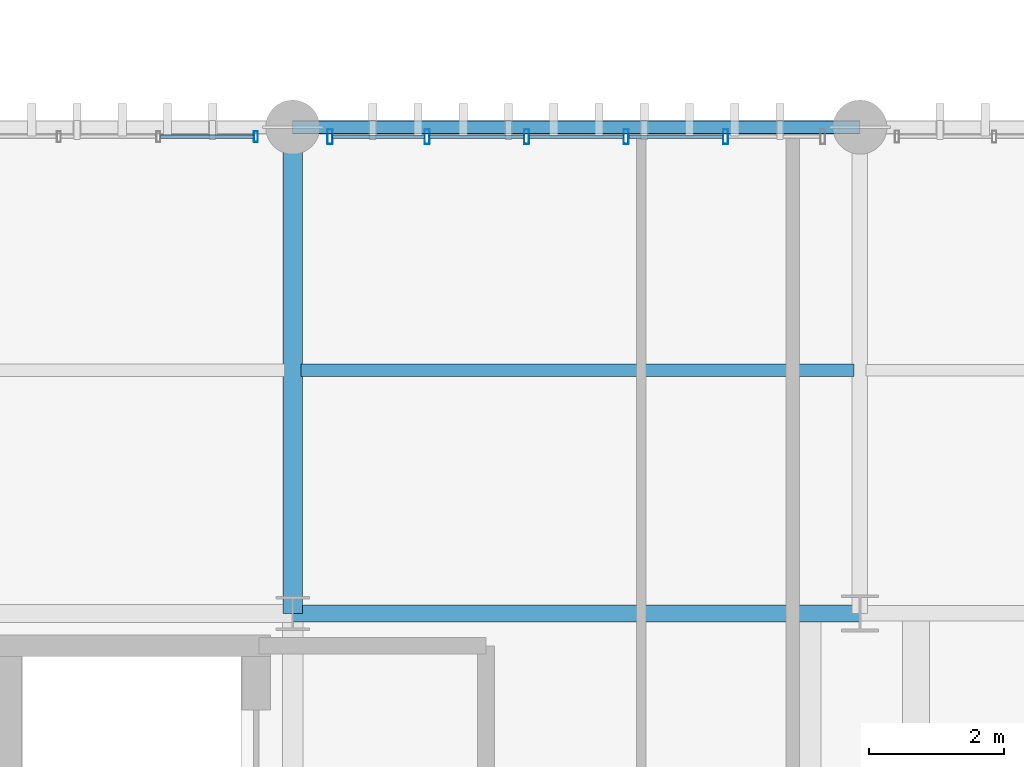
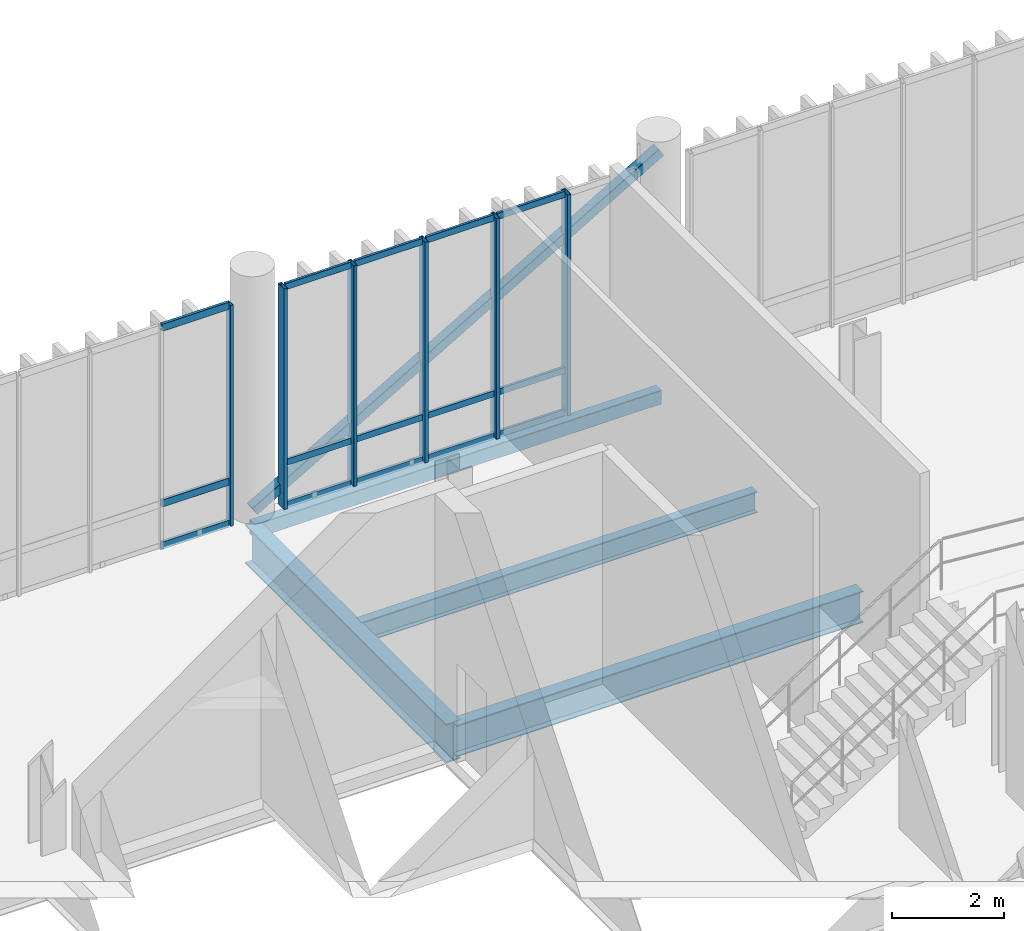
# One storey, part 45 of 128: 22 members, 4 beams, 2 elements without a shape of their own.
"""IFC4 building model written with IfcOpenShell, lengths in metres."""

import ifcopenshell
import ifcopenshell.guid

model = None  # the IFC model being written
_history = None  # IfcOwnerHistory: only IFC2X3 demands one
_inside = {}  # id of a spatial element -> (the spatial element, [elements in it])
_under = {}  # id of a project, library or spatial element -> (it, [spatial elements below it])
_declared = {}  # id of a project -> (the project, [libraries it declares])
_typed = {}  # id of a type object -> (the type object, [elements of that type])
_made_of = {}  # id of a material, layer set ... -> (it, [elements and type objects made of it])


def new_model(schema):
    """Start an empty IFC model of exactly this schema.

    Asked for "IFC4X3", IfcOpenShell would pick the latest addendum, in which some entities
    have other attributes; the version numbers below select the first issue.
    IFC2X3 requires an IfcOwnerHistory on every rooted entity: one is made here for all.
    """
    global model, _history
    if schema == "IFC4X3":
        model = ifcopenshell.file(schema_version=(4, 3, 0, 0))
    else:
        model = ifcopenshell.file(schema=schema)
    _inside.clear()
    _under.clear()
    _declared.clear()
    _typed.clear()
    _made_of.clear()
    _history = None
    if model.schema == "IFC2X3":
        org = make("IfcOrganization", Name="unknown")
        user = make(
            "IfcPersonAndOrganization",
            ThePerson=make("IfcPerson", FamilyName="unknown"),
            TheOrganization=org,
        )
        app = make(
            "IfcApplication",
            ApplicationDeveloper=org,
            Version="unknown",
            ApplicationFullName="unknown",
            ApplicationIdentifier="unknown",
        )
        _history = make(
            "IfcOwnerHistory",
            OwningUser=user,
            OwningApplication=app,
            ChangeAction="ADDED",
            CreationDate=0,
        )
    return model


def make(cls, **values):
    """One entity of the class cls with the attributes given. An attribute that is None is left unset."""
    return model.create_entity(
        cls, **{name: value for name, value in values.items() if value is not None}
    )


def rooted(cls, **values):
    """An entity with a GlobalId (a new one), such as an element, a storey or a relation."""
    return make(cls, GlobalId=ifcopenshell.guid.new(), OwnerHistory=_history, **values)


def si_unit(unit_type, name, prefix=None):
    """IfcSIUnit, for example si_unit("LENGTHUNIT", "METRE", prefix="MILLI")."""
    return make("IfcSIUnit", UnitType=unit_type, Prefix=prefix, Name=name)


def assignment(units):
    """IfcUnitAssignment: the units of a project."""
    return None if units is None else make("IfcUnitAssignment", Units=units)


def point(xyz):
    """IfcCartesianPoint."""
    return None if xyz is None else make("IfcCartesianPoint", Coordinates=xyz)


def direction(xyz):
    """IfcDirection."""
    return None if xyz is None else make("IfcDirection", DirectionRatios=xyz)


def frame(location, z_axis=None, x_axis=None):
    """IfcAxis2Placement3D, a coordinate frame: its origin and axes. An axis left out is left unset."""
    return make(
        "IfcAxis2Placement3D",
        Location=point(location),
        Axis=direction(z_axis),
        RefDirection=direction(x_axis),
    )


def frame_2d(location, x_axis=None):
    """IfcAxis2Placement2D, a coordinate frame in the plane: its origin and x axis."""
    return make(
        "IfcAxis2Placement2D", Location=point(location), RefDirection=direction(x_axis)
    )


def origin_with_axes():
    """The frame at (0, 0, 0) with the z axis (0, 0, 1) and the x axis (1, 0, 0) written out."""
    return frame((0.0, 0.0, 0.0), z_axis=(0.0, 0.0, 1.0), x_axis=(1.0, 0.0, 0.0))


def origin_2d_with_axis():
    """The frame at (0, 0) in the plane with the x axis (1, 0) written out."""
    return frame_2d((0.0, 0.0), x_axis=(1.0, 0.0))


def place(relative_to, where):
    """IfcLocalPlacement: puts the frame where relative to a parent placement (None: the world)."""
    return make(
        "IfcLocalPlacement", PlacementRelTo=relative_to, RelativePlacement=where
    )


def context(
    kind, dimensions, precision=None, world=None, true_north=None, identifier=None
):
    """IfcGeometricRepresentationContext, for example the 3D "Model" context."""
    return make(
        "IfcGeometricRepresentationContext",
        ContextIdentifier=identifier,
        ContextType=kind,
        CoordinateSpaceDimension=dimensions,
        Precision=precision,
        WorldCoordinateSystem=world,
        TrueNorth=true_north,
    )


def subcontext(parent, identifier, kind, view, scale=None):
    """IfcGeometricRepresentationSubContext, for example "Body" below "Model"."""
    return make(
        "IfcGeometricRepresentationSubContext",
        ContextIdentifier=identifier,
        ContextType=kind,
        ParentContext=parent,
        TargetScale=scale,
        TargetView=view,
    )


def project(units=None, contexts=None):
    """IfcProject with its units and contexts."""
    return rooted(
        "IfcProject",
        Name="project",
        RepresentationContexts=contexts,
        UnitsInContext=assignment(units),
    )


def spatial(cls, under=None, at=None, **own):
    """A site, building, storey or space (cls), placed at a placement, below another one or the project."""
    s = rooted(cls, ObjectPlacement=at, **own)
    if under is not None:
        _under.setdefault(under.id(), (under, []))[1].append(s)
    return s


def profile(cls, at=None, kind="AREA", **sizes):
    """A parametric profile (cls). Its sizes go by their IFC names, for example OverallWidth=200.0."""
    return make(cls, ProfileType=kind, Position=at, **sizes)


def hollow_rectangle(**sizes):
    """IfcRectangleHollowProfileDef."""
    return profile("IfcRectangleHollowProfileDef", **sizes)


def i_section(**sizes):
    """IfcIShapeProfileDef."""
    return profile("IfcIShapeProfileDef", **sizes)


def extrude(swept, where, along, depth):
    """IfcExtrudedAreaSolid: the profile swept, set in the frame where, extruded along a direction by depth."""
    return make(
        "IfcExtrudedAreaSolid",
        SweptArea=swept,
        Position=where,
        ExtrudedDirection=direction(along),
        Depth=depth,
    )


def shape(context_of_items, identifier, shape_type, items):
    """IfcShapeRepresentation: the items that make up one representation, for example the "Body"."""
    return make(
        "IfcShapeRepresentation",
        ContextOfItems=context_of_items,
        RepresentationIdentifier=identifier,
        RepresentationType=shape_type,
        Items=items,
    )


def material(Name=None, Category=None):
    """IfcMaterial."""
    return make("IfcMaterial", Name=Name, Category=Category)


def material_profile(
    of_material, cross_section, Name=None, Category=None, Priority=None
):
    """IfcMaterialProfile: a cross section and its material."""
    return make(
        "IfcMaterialProfile",
        Name=Name,
        Material=of_material,
        Profile=cross_section,
        Priority=Priority,
        Category=Category,
    )


def profile_set(profiles, Name=None, composite=None):
    """IfcMaterialProfileSet."""
    return make(
        "IfcMaterialProfileSet",
        Name=Name,
        MaterialProfiles=profiles,
        CompositeProfile=composite,
    )


def made_of(thing, what):
    """Note that an element or type object is made of a material, layer set ...; save() writes the relation."""
    if what is not None:
        _made_of.setdefault(what.id(), (what, []))[1].append(thing)
    return thing


def type_object(cls, material=None, **own):
    """A type object (cls), such as IfcWallType, which elements share."""
    return made_of(rooted(cls, **own), material)


def element(
    cls,
    number,
    at=None,
    inside=None,
    cuts=None,
    type_object=None,
    material=None,
    context=None,
    identifier="Body",
    shape_type=None,
    held_by="IfcProductDefinitionShape",
    body=None,
    shapes=None,
    **own,
):
    """One element of the class cls, such as IfcWall. Its Tag is "e" and its number.

    at: its placement. inside: the storey or other place that contains it. cuts: it is an
    opening in that element (IfcRelVoidsElement). A single representation is given by context,
    identifier, shape_type and body (its items); several are given by shapes. held_by: the class
    of the entity that holds the representations. save() writes the other relations.
    """
    e = rooted(cls, Tag="e%d" % number, ObjectPlacement=at, **own)
    if body is not None:
        shapes = [shape(context, identifier, shape_type, body)]
    if shapes is not None:
        e.Representation = make(held_by, Representations=shapes)
    if inside is not None:
        _inside.setdefault(inside.id(), (inside, []))[1].append(e)
    if cuts is not None:
        rooted(
            "IfcRelVoidsElement", RelatingBuildingElement=cuts, RelatedOpeningElement=e
        )
    if type_object is not None:
        _typed.setdefault(type_object.id(), (type_object, []))[1].append(e)
    return made_of(e, material)


def aggregate(whole, parts):
    """IfcRelAggregates: a whole, such as a stair, and the parts it consists of."""
    return rooted("IfcRelAggregates", RelatingObject=whole, RelatedObjects=parts)


def save(model, path):
    """Write the relations noted so far, then the file.

    IfcRelAggregates (storeys below a building ...), IfcRelContainedInSpatialStructure (elements
    in a storey), IfcRelDefinesByType, IfcRelAssociatesMaterial and IfcRelDeclares: one each for
    every whole, place, type object, material and project.
    """
    for whole, parts in _under.values():
        aggregate(whole, parts)
    for where, things in _inside.values():
        rooted(
            "IfcRelContainedInSpatialStructure",
            RelatedElements=things,
            RelatingStructure=where,
        )
    for kind, things in _typed.values():
        rooted("IfcRelDefinesByType", RelatedObjects=things, RelatingType=kind)
    for what, things in _made_of.values():
        rooted("IfcRelAssociatesMaterial", RelatedObjects=things, RelatingMaterial=what)
    for by, libraries in _declared.values():
        rooted("IfcRelDeclares", RelatingContext=by, RelatedDefinitions=libraries)
    model.write(path)


model = new_model("IFC4")

# Units and contexts
model_context = context("Model", 3, precision=1e-05, world=origin_with_axes(), true_north=direction((0.0, 1.0)))
body_context = subcontext(model_context, "Body", "Model", "MODEL_VIEW")
ifc_project = project(units=[si_unit("LENGTHUNIT", "METRE"), si_unit("AREAUNIT", "SQUARE_METRE"), si_unit("VOLUMEUNIT", "CUBIC_METRE"), si_unit("PLANEANGLEUNIT", "RADIAN"), si_unit("MASSUNIT", "GRAM", prefix="KILO"), si_unit("THERMODYNAMICTEMPERATUREUNIT", "KELVIN")], contexts=[model_context])

# Site, building, storey
site_placement = place(None, origin_with_axes())
site = spatial("IfcSite", under=ifc_project, at=site_placement, CompositionType="ELEMENT")
building_placement = place(site_placement, origin_with_axes())
building = spatial("IfcBuilding", under=site, at=building_placement, Name="Montbau Bow Law Courts", CompositionType="ELEMENT")
storey_placement = place(building_placement, frame((0.0, 0.0, 5.4), z_axis=(0.0, 0.0, 1.0), x_axis=(1.0, 0.0, 0.0)))
storey = spatial("IfcBuildingStorey", under=building, at=storey_placement, Name="L01", CompositionType="ELEMENT", Elevation=5.4)

# Beams
ifc_material_1 = material(Name="Steel CSA G40.21 Grade 350W (350 MPa)", Category="steel")
ifc_material_profile_1 = material_profile(ifc_material_1, i_section(OverallWidth=0.293, OverallDepth=0.846, WebThickness=0.0154, FlangeThickness=0.0244, at=origin_2d_with_axis()), Name="W840X210", Category="Main", Priority=0)
ifc_profile_set_1 = profile_set([ifc_material_profile_1], Name="Steel CSA G40.21 Grade 350W (350 MPa)")
beam_type_1 = type_object("IfcBeamType", Name="B-FLR-02", PredefinedType="BEAM", material=ifc_profile_set_1)
beam_1_placement = place(None, frame((63.6, 54.6, 4.737), z_axis=(0.0, 1.0, 0.0), x_axis=(-1.0, 0.0, 0.0)))
element("IfcBeam", 1, at=beam_1_placement, inside=storey, type_object=beam_type_1, Name="BM-L01-S0828:bm2_0831", PredefinedType="BEAM", context=body_context, shape_type="SweptSolid", body=[
    extrude(i_section(OverallWidth=0.293, OverallDepth=0.846, WebThickness=0.0154, FlangeThickness=0.0244, at=origin_2d_with_axis()), origin_with_axes(), (0.0, 0.0, 1.0), 7.2),
])
ifc_material_profile_2 = material_profile(ifc_material_1, i_section(OverallWidth=0.254, OverallDepth=0.688, WebThickness=0.0131, FlangeThickness=0.0211, at=origin_2d_with_axis()), Name="W690X152", Category="Main", Priority=0)
ifc_profile_set_2 = profile_set([ifc_material_profile_2], Name="Steel CSA G40.21 Grade 350W (350 MPa)")
beam_type_2 = type_object("IfcBeamType", Name="B-FLR-04", PredefinedType="BEAM", material=ifc_profile_set_2)
beam_2_placement = place(None, frame((63.6, 54.6, 4.816), z_axis=(1.0, 0.0, 0.0), x_axis=(0.0, 1.0, 0.0)))
element("IfcBeam", 2, at=beam_2_placement, inside=storey, type_object=beam_type_2, Name="BM-L01-S0812:bm2_0815", PredefinedType="BEAM", context=body_context, shape_type="SweptSolid", body=[
    extrude(i_section(OverallWidth=0.254, OverallDepth=0.688, WebThickness=0.0131, FlangeThickness=0.0211, at=origin_2d_with_axis()), origin_with_axes(), (0.0, 0.0, 1.0), 8.4),
])
ifc_material_profile_3 = material_profile(ifc_material_1, i_section(OverallWidth=0.191, OverallDepth=0.46, WebThickness=0.0099, FlangeThickness=0.016, at=origin_2d_with_axis()), Name="W460X82", Category="Main", Priority=0)
ifc_profile_set_3 = profile_set([ifc_material_profile_3], Name="Steel CSA G40.21 Grade 350W (350 MPa)")
beam_type_3 = type_object("IfcBeamType", Name="B-JST-01", PredefinedType="JOIST", material=ifc_profile_set_3)
beam_3_placement = place(None, frame((63.723, 58.2, 4.93), z_axis=(1.0, 0.0, 0.0), x_axis=(0.0, 1.0, 0.0)))
element("IfcBeam", 3, at=beam_3_placement, inside=storey, type_object=beam_type_3, Name="JST-L01-S0424:jst2_0424", PredefinedType="JOIST", context=body_context, shape_type="SweptSolid", body=[
    extrude(i_section(OverallWidth=0.191, OverallDepth=0.46, WebThickness=0.0099, FlangeThickness=0.016, at=origin_2d_with_axis()), origin_with_axes(), (0.0, 0.0, 1.0), 8.186),
])
ifc_material_2 = material(Name="Steel CSA G40.21 Grade 350WT (350 MPa)", Category="steel")
ifc_material_profile_4 = material_profile(ifc_material_2, hollow_rectangle(XDim=0.203, YDim=0.305, WallThickness=0.0127, InnerFilletRadius=0.0254, OuterFilletRadius=0.0127, at=origin_2d_with_axis()), Name="HSS305X203X13", Category="Main", Priority=0)
ifc_profile_set_4 = profile_set([ifc_material_profile_4], Name="Steel CSA G40.21 Grade 350WT (350 MPa)")
beam_type_4 = type_object("IfcBeamType", Name="B-SPN-02", PredefinedType="SPANDREL", material=ifc_profile_set_4)
beam_4_placement = place(None, frame((63.6, 61.8, 5.008), z_axis=(1.0, 0.0, 0.0), x_axis=(0.0, 1.0, 0.0)))
element("IfcBeam", 4, at=beam_4_placement, inside=storey, type_object=beam_type_4, Name="SPN-L01-S0818:bm2_0821", PredefinedType="SPANDREL", context=body_context, shape_type="SweptSolid", body=[
    extrude(hollow_rectangle(XDim=0.203, YDim=0.305, WallThickness=0.0127, InnerFilletRadius=0.0254, OuterFilletRadius=0.0127, at=origin_2d_with_axis()), origin_with_axes(), (0.0, 0.0, 1.0), 8.4),
])

# Member
ifc_material_profile_5 = material_profile(ifc_material_1, hollow_rectangle(XDim=0.203, YDim=0.203, WallThickness=0.0111, InnerFilletRadius=0.0222, OuterFilletRadius=0.0111, at=origin_2d_with_axis()), Name="HSS203X203X11", Category="Main", Priority=0)
ifc_profile_set_5 = profile_set([ifc_material_profile_5], Name="Steel CSA G40.21 Grade 350W (350 MPa)")
member_type_1 = type_object("IfcMemberType", Name="M-BRC-02", PredefinedType="BRACE", material=ifc_profile_set_5)
member_1_placement = place(None, frame((63.6, 61.8, 5.45), z_axis=(0.86346556, 0.0, 0.504407798), x_axis=(0.0, 1.0, 0.0)))
element("IfcMember", 5, at=member_1_placement, inside=storey, type_object=member_type_1, Name="Diagonal brace CBF-L01-055A", PredefinedType="BRACE", context=body_context, shape_type="SweptSolid", body=[
    extrude(hollow_rectangle(XDim=0.203, YDim=0.203, WallThickness=0.0111, InnerFilletRadius=0.0222, OuterFilletRadius=0.0111, at=origin_2d_with_axis()), origin_with_axes(), (0.0, 0.0, 1.0), 9.72824),
])

# Curtain wall, members
ifc_material_3 = material(Name="Thermally Broken Extruded Aluminium AA 6063-T6", Category="aluminium")
curtain_wall_type = type_object("IfcCurtainWallType", Name="CW-CRM-01", PredefinedType="NOTDEFINED", material=ifc_material_3)
curtain_wall_1_placement = place(None, frame((64.115, 61.66, 5.4), z_axis=(0.0, 0.0, 1.0), x_axis=(1.0, 0.0, 0.0)))
curtain_wall_1 = element("IfcCurtainWall", 6, at=curtain_wall_1_placement, inside=storey, type_object=curtain_wall_type, Name="CW-L01-147:cw_0147", PredefinedType="NOTDEFINED")
ifc_material_profile_6 = material_profile(ifc_material_3, hollow_rectangle(XDim=0.075, YDim=0.22, WallThickness=0.005, InnerFilletRadius=0.01, OuterFilletRadius=0.005, at=origin_2d_with_axis()), Name="CWM-220X75", Category="Main", Priority=0)
ifc_profile_set_6 = profile_set([ifc_material_profile_6], Name="Thermally Broken Extruded Aluminium AA 6063-T6")
member_type_2 = type_object("IfcMemberType", Name="M-MUL-01", PredefinedType="MULLION", material=ifc_profile_set_6)
member_2_placement = place(None, frame((64.152, 61.66, 5.4), z_axis=(0.0, 0.0, 1.0), x_axis=(1.0, 0.0, 0.0)))
member_2 = element("IfcMember", 7, at=member_2_placement, type_object=member_type_2, Name="CW-L01-147-M01:cw_0147_M01", PredefinedType="MULLION", context=body_context, shape_type="SweptSolid", body=[
    extrude(hollow_rectangle(XDim=0.075, YDim=0.22, WallThickness=0.005, InnerFilletRadius=0.01, OuterFilletRadius=0.005, at=origin_2d_with_axis()), origin_with_axes(), (0.0, 0.0, 1.0), 4.82),
])
member_3_placement = place(None, frame((65.589, 61.66, 5.4), z_axis=(0.0, 0.0, 1.0), x_axis=(1.0, 0.0, 0.0)))
member_3 = element("IfcMember", 8, at=member_3_placement, type_object=member_type_2, Name="CW-L01-147-M02:cw_0147_M02", PredefinedType="MULLION", context=body_context, shape_type="SweptSolid", body=[
    extrude(hollow_rectangle(XDim=0.075, YDim=0.22, WallThickness=0.005, InnerFilletRadius=0.01, OuterFilletRadius=0.005, at=origin_2d_with_axis()), origin_with_axes(), (0.0, 0.0, 1.0), 4.82),
])
member_4_placement = place(None, frame((67.063, 61.66, 5.4), z_axis=(0.0, 0.0, 1.0), x_axis=(1.0, 0.0, 0.0)))
member_4 = element("IfcMember", 9, at=member_4_placement, type_object=member_type_2, Name="CW-L01-147-M03:cw_0147_M03", PredefinedType="MULLION", context=body_context, shape_type="SweptSolid", body=[
    extrude(hollow_rectangle(XDim=0.075, YDim=0.22, WallThickness=0.005, InnerFilletRadius=0.01, OuterFilletRadius=0.005, at=origin_2d_with_axis()), origin_with_axes(), (0.0, 0.0, 1.0), 4.82),
])
member_5_placement = place(None, frame((68.537, 61.66, 5.4), z_axis=(0.0, 0.0, 1.0), x_axis=(1.0, 0.0, 0.0)))
member_5 = element("IfcMember", 10, at=member_5_placement, type_object=member_type_2, Name="CW-L01-147-M04:cw_0147_M04", PredefinedType="MULLION", context=body_context, shape_type="SweptSolid", body=[
    extrude(hollow_rectangle(XDim=0.075, YDim=0.22, WallThickness=0.005, InnerFilletRadius=0.01, OuterFilletRadius=0.005, at=origin_2d_with_axis()), origin_with_axes(), (0.0, 0.0, 1.0), 4.82),
])
member_6_placement = place(None, frame((70.011, 61.66, 5.4), z_axis=(0.0, 0.0, 1.0), x_axis=(1.0, 0.0, 0.0)))
member_6 = element("IfcMember", 11, at=member_6_placement, type_object=member_type_2, Name="CW-L01-147-M05:cw_0147_M05", PredefinedType="MULLION", context=body_context, shape_type="SweptSolid", body=[
    extrude(hollow_rectangle(XDim=0.075, YDim=0.22, WallThickness=0.005, InnerFilletRadius=0.01, OuterFilletRadius=0.005, at=origin_2d_with_axis()), origin_with_axes(), (0.0, 0.0, 1.0), 4.82),
])

curtain_wall_2_placement = place(None, frame((55.715, 61.66, 5.4), z_axis=(0.0, 0.0, 1.0), x_axis=(1.0, 0.0, 0.0)))
curtain_wall_2 = element("IfcCurtainWall", 12, at=curtain_wall_2_placement, inside=storey, type_object=curtain_wall_type, Name="CW-L01-146:cw_0146", PredefinedType="NOTDEFINED")
ifc_material_profile_7 = material_profile(ifc_material_3, hollow_rectangle(XDim=0.06, YDim=0.16, WallThickness=0.004, InnerFilletRadius=0.008, OuterFilletRadius=0.004, at=origin_2d_with_axis()), Name="CWM-160X60", Category="Main", Priority=0)
ifc_profile_set_7 = profile_set([ifc_material_profile_7], Name="Thermally Broken Extruded Aluminium AA 6063-T6")
member_type_3 = type_object("IfcMemberType", Name="M-MUL-03", PredefinedType="MULLION", material=ifc_profile_set_7)
member_7_placement = place(None, frame((63.055, 61.66, 5.4), z_axis=(0.0, 0.0, 1.0), x_axis=(1.0, 0.0, 0.0)))
member_7 = element("IfcMember", 13, at=member_7_placement, type_object=member_type_3, Name="CW-L01-146-M06:cw_0146_M06", PredefinedType="MULLION", context=body_context, shape_type="SweptSolid", body=[
    extrude(hollow_rectangle(XDim=0.06, YDim=0.16, WallThickness=0.004, InnerFilletRadius=0.008, OuterFilletRadius=0.004, at=origin_2d_with_axis()), origin_with_axes(), (0.0, 0.0, 1.0), 4.82),
])
ifc_material_profile_8 = material_profile(ifc_material_3, hollow_rectangle(XDim=0.06, YDim=0.16, WallThickness=0.004, InnerFilletRadius=0.008, OuterFilletRadius=0.004, at=origin_2d_with_axis()), Name="CWT-160X60", Category="Main", Priority=0)
ifc_profile_set_8 = profile_set([ifc_material_profile_8], Name="Thermally Broken Extruded Aluminium AA 6063-T6")
member_type_4 = type_object("IfcMemberType", Name="M-TRN-01", PredefinedType="USERDEFINED", material=ifc_profile_set_8)
member_8_placement = place(None, frame((61.643, 61.66, 5.43), z_axis=(1.0, 0.0, 0.0), x_axis=(0.0, 1.0, 0.0)))
member_8 = element("IfcMember", 14, at=member_8_placement, type_object=member_type_4, Name="CW-L01-146-T05-1:cw_0146_T05_1", ObjectType="TRANSOM", PredefinedType="USERDEFINED", context=body_context, shape_type="SweptSolid", body=[
    extrude(hollow_rectangle(XDim=0.06, YDim=0.16, WallThickness=0.004, InnerFilletRadius=0.008, OuterFilletRadius=0.004, at=origin_2d_with_axis()), origin_with_axes(), (0.0, 0.0, 1.0), 1.38),
])
member_9_placement = place(None, frame((61.643, 61.66, 6.35), z_axis=(1.0, 0.0, 0.0), x_axis=(0.0, 1.0, 0.0)))
member_9 = element("IfcMember", 15, at=member_9_placement, type_object=member_type_4, Name="CW-L01-146-T05-2:cw_0146_T05_2", ObjectType="TRANSOM", PredefinedType="USERDEFINED", context=body_context, shape_type="SweptSolid", body=[
    extrude(hollow_rectangle(XDim=0.06, YDim=0.16, WallThickness=0.004, InnerFilletRadius=0.008, OuterFilletRadius=0.004, at=origin_2d_with_axis()), origin_with_axes(), (0.0, 0.0, 1.0), 1.38),
])
member_10_placement = place(None, frame((61.643, 61.66, 10.19), z_axis=(1.0, 0.0, 0.0), x_axis=(0.0, 1.0, 0.0)))
member_10 = element("IfcMember", 16, at=member_10_placement, type_object=member_type_4, Name="CW-L01-146-T05-3:cw_0146_T05_3", ObjectType="TRANSOM", PredefinedType="USERDEFINED", context=body_context, shape_type="SweptSolid", body=[
    extrude(hollow_rectangle(XDim=0.06, YDim=0.16, WallThickness=0.004, InnerFilletRadius=0.008, OuterFilletRadius=0.004, at=origin_2d_with_axis()), origin_with_axes(), (0.0, 0.0, 1.0), 1.38),
])
aggregate(curtain_wall_2, [member_7, member_8, member_9, member_10])

# Member
ifc_material_profile_9 = material_profile(ifc_material_3, hollow_rectangle(XDim=0.055, YDim=0.14, WallThickness=0.004, InnerFilletRadius=0.008, OuterFilletRadius=0.004, at=origin_2d_with_axis()), Name="CWT-140X55", Category="Main", Priority=0)
ifc_profile_set_9 = profile_set([ifc_material_profile_9], Name="Thermally Broken Extruded Aluminium AA 6063-T6")
member_type_5 = type_object("IfcMemberType", Name="M-TRN-02", PredefinedType="USERDEFINED", material=ifc_profile_set_9)
member_11_placement = place(None, frame((64.191, 61.66, 5.428), z_axis=(1.0, 0.0, 0.0), x_axis=(0.0, 1.0, 0.0)))
member_11 = element("IfcMember", 17, at=member_11_placement, type_object=member_type_5, Name="CW-L01-147-T01-1:cw_0147_T01_1", ObjectType="TRANSOM", PredefinedType="USERDEFINED", context=body_context, shape_type="SweptSolid", body=[
    extrude(hollow_rectangle(XDim=0.055, YDim=0.14, WallThickness=0.004, InnerFilletRadius=0.008, OuterFilletRadius=0.004, at=origin_2d_with_axis()), origin_with_axes(), (0.0, 0.0, 1.0), 1.358),
])

member_12_placement = place(None, frame((64.191, 61.66, 6.35), z_axis=(1.0, 0.0, 0.0), x_axis=(0.0, 1.0, 0.0)))
member_12 = element("IfcMember", 18, at=member_12_placement, type_object=member_type_5, Name="CW-L01-147-T01-2:cw_0147_T01_2", ObjectType="TRANSOM", PredefinedType="USERDEFINED", context=body_context, shape_type="SweptSolid", body=[
    extrude(hollow_rectangle(XDim=0.055, YDim=0.14, WallThickness=0.004, InnerFilletRadius=0.008, OuterFilletRadius=0.004, at=origin_2d_with_axis()), origin_with_axes(), (0.0, 0.0, 1.0), 1.358),
])

member_13_placement = place(None, frame((64.191, 61.66, 10.193), z_axis=(1.0, 0.0, 0.0), x_axis=(0.0, 1.0, 0.0)))
member_13 = element("IfcMember", 19, at=member_13_placement, type_object=member_type_5, Name="CW-L01-147-T01-3:cw_0147_T01_3", ObjectType="TRANSOM", PredefinedType="USERDEFINED", context=body_context, shape_type="SweptSolid", body=[
    extrude(hollow_rectangle(XDim=0.055, YDim=0.14, WallThickness=0.004, InnerFilletRadius=0.008, OuterFilletRadius=0.004, at=origin_2d_with_axis()), origin_with_axes(), (0.0, 0.0, 1.0), 1.358),
])

member_14_placement = place(None, frame((65.629, 61.66, 5.428), z_axis=(1.0, 0.0, 0.0), x_axis=(0.0, 1.0, 0.0)))
member_14 = element("IfcMember", 20, at=member_14_placement, type_object=member_type_5, Name="CW-L01-147-T02-1:cw_0147_T02_1", ObjectType="TRANSOM", PredefinedType="USERDEFINED", context=body_context, shape_type="SweptSolid", body=[
    extrude(hollow_rectangle(XDim=0.055, YDim=0.14, WallThickness=0.004, InnerFilletRadius=0.008, OuterFilletRadius=0.004, at=origin_2d_with_axis()), origin_with_axes(), (0.0, 0.0, 1.0), 1.395),
])

member_15_placement = place(None, frame((65.629, 61.66, 6.35), z_axis=(1.0, 0.0, 0.0), x_axis=(0.0, 1.0, 0.0)))
member_15 = element("IfcMember", 21, at=member_15_placement, type_object=member_type_5, Name="CW-L01-147-T02-2:cw_0147_T02_2", ObjectType="TRANSOM", PredefinedType="USERDEFINED", context=body_context, shape_type="SweptSolid", body=[
    extrude(hollow_rectangle(XDim=0.055, YDim=0.14, WallThickness=0.004, InnerFilletRadius=0.008, OuterFilletRadius=0.004, at=origin_2d_with_axis()), origin_with_axes(), (0.0, 0.0, 1.0), 1.395),
])

member_16_placement = place(None, frame((65.629, 61.66, 10.193), z_axis=(1.0, 0.0, 0.0), x_axis=(0.0, 1.0, 0.0)))
member_16 = element("IfcMember", 22, at=member_16_placement, type_object=member_type_5, Name="CW-L01-147-T02-3:cw_0147_T02_3", ObjectType="TRANSOM", PredefinedType="USERDEFINED", context=body_context, shape_type="SweptSolid", body=[
    extrude(hollow_rectangle(XDim=0.055, YDim=0.14, WallThickness=0.004, InnerFilletRadius=0.008, OuterFilletRadius=0.004, at=origin_2d_with_axis()), origin_with_axes(), (0.0, 0.0, 1.0), 1.395),
])

member_17_placement = place(None, frame((67.102, 61.66, 5.428), z_axis=(1.0, 0.0, 0.0), x_axis=(0.0, 1.0, 0.0)))
member_17 = element("IfcMember", 23, at=member_17_placement, type_object=member_type_5, Name="CW-L01-147-T03-1:cw_0147_T03_1", ObjectType="TRANSOM", PredefinedType="USERDEFINED", context=body_context, shape_type="SweptSolid", body=[
    extrude(hollow_rectangle(XDim=0.055, YDim=0.14, WallThickness=0.004, InnerFilletRadius=0.008, OuterFilletRadius=0.004, at=origin_2d_with_axis()), origin_with_axes(), (0.0, 0.0, 1.0), 1.396),
])

member_18_placement = place(None, frame((67.102, 61.66, 6.35), z_axis=(1.0, 0.0, 0.0), x_axis=(0.0, 1.0, 0.0)))
member_18 = element("IfcMember", 24, at=member_18_placement, type_object=member_type_5, Name="CW-L01-147-T03-2:cw_0147_T03_2", ObjectType="TRANSOM", PredefinedType="USERDEFINED", context=body_context, shape_type="SweptSolid", body=[
    extrude(hollow_rectangle(XDim=0.055, YDim=0.14, WallThickness=0.004, InnerFilletRadius=0.008, OuterFilletRadius=0.004, at=origin_2d_with_axis()), origin_with_axes(), (0.0, 0.0, 1.0), 1.396),
])

member_19_placement = place(None, frame((67.102, 61.66, 10.193), z_axis=(1.0, 0.0, 0.0), x_axis=(0.0, 1.0, 0.0)))
member_19 = element("IfcMember", 25, at=member_19_placement, type_object=member_type_5, Name="CW-L01-147-T03-3:cw_0147_T03_3", ObjectType="TRANSOM", PredefinedType="USERDEFINED", context=body_context, shape_type="SweptSolid", body=[
    extrude(hollow_rectangle(XDim=0.055, YDim=0.14, WallThickness=0.004, InnerFilletRadius=0.008, OuterFilletRadius=0.004, at=origin_2d_with_axis()), origin_with_axes(), (0.0, 0.0, 1.0), 1.396),
])

member_20_placement = place(None, frame((68.576, 61.66, 5.428), z_axis=(1.0, 0.0, 0.0), x_axis=(0.0, 1.0, 0.0)))
member_20 = element("IfcMember", 26, at=member_20_placement, type_object=member_type_5, Name="CW-L01-147-T04-1:cw_0147_T04_1", ObjectType="TRANSOM", PredefinedType="USERDEFINED", context=body_context, shape_type="SweptSolid", body=[
    extrude(hollow_rectangle(XDim=0.055, YDim=0.14, WallThickness=0.004, InnerFilletRadius=0.008, OuterFilletRadius=0.004, at=origin_2d_with_axis()), origin_with_axes(), (0.0, 0.0, 1.0), 1.396),
])

member_21_placement = place(None, frame((68.576, 61.66, 6.35), z_axis=(1.0, 0.0, 0.0), x_axis=(0.0, 1.0, 0.0)))
member_21 = element("IfcMember", 27, at=member_21_placement, type_object=member_type_5, Name="CW-L01-147-T04-2:cw_0147_T04_2", ObjectType="TRANSOM", PredefinedType="USERDEFINED", context=body_context, shape_type="SweptSolid", body=[
    extrude(hollow_rectangle(XDim=0.055, YDim=0.14, WallThickness=0.004, InnerFilletRadius=0.008, OuterFilletRadius=0.004, at=origin_2d_with_axis()), origin_with_axes(), (0.0, 0.0, 1.0), 1.396),
])

member_22_placement = place(None, frame((68.576, 61.66, 10.193), z_axis=(1.0, 0.0, 0.0), x_axis=(0.0, 1.0, 0.0)))
member_22 = element("IfcMember", 28, at=member_22_placement, type_object=member_type_5, Name="CW-L01-147-T04-3:cw_0147_T04_3", ObjectType="TRANSOM", PredefinedType="USERDEFINED", context=body_context, shape_type="SweptSolid", body=[
    extrude(hollow_rectangle(XDim=0.055, YDim=0.14, WallThickness=0.004, InnerFilletRadius=0.008, OuterFilletRadius=0.004, at=origin_2d_with_axis()), origin_with_axes(), (0.0, 0.0, 1.0), 1.396),
])

aggregate(curtain_wall_1, [member_2, member_3, member_4, member_5, member_6, member_11, member_12, member_13, member_14, member_15, member_16, member_17, member_18, member_19, member_20, member_21, member_22])

save(model, "model.ifc")
